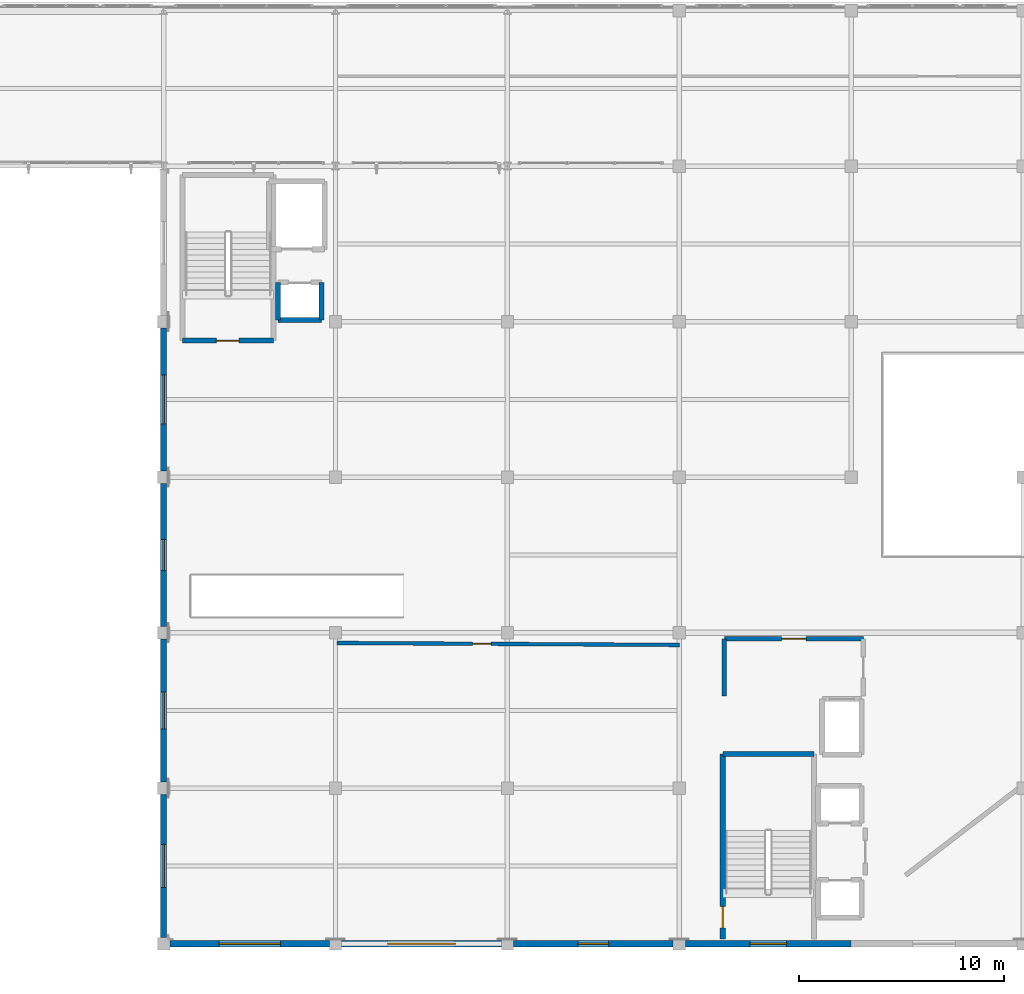
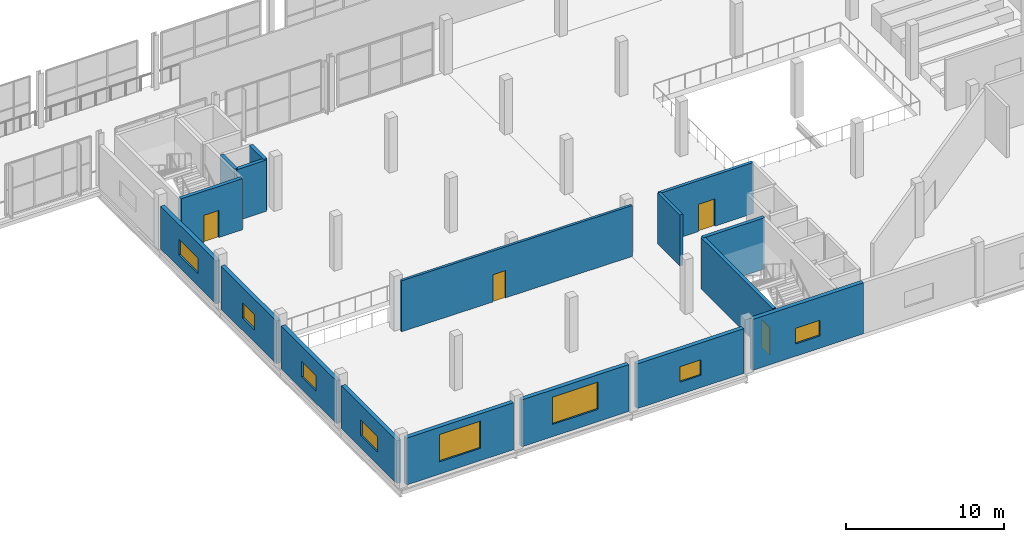
# One storey, part 192 of 217: 17 walls, 8 windows, 4 doors, 12 openings.
"""IFC4 building model written with IfcOpenShell, lengths in metres."""

from ifc_helpers import new_model, si_unit, direction, frame, frame_2d, origin, place, context, subcontext, project, spatial, rectangle, extrude, material, layer, layer_set, type_object, element, fill, save


model = new_model("IFC4")

# Units and contexts
model_context = context("Model", 3, precision=1e-05, world=origin(), true_north=direction((0.0, 1.0)))
body_context = subcontext(model_context, "Body", "Model", "MODEL_VIEW")
ifc_project = project(units=[si_unit("LENGTHUNIT", "METRE"), si_unit("AREAUNIT", "SQUARE_METRE"), si_unit("VOLUMEUNIT", "CUBIC_METRE"), si_unit("PLANEANGLEUNIT", "RADIAN"), si_unit("MASSUNIT", "GRAM", prefix="KILO")], contexts=[model_context])

# Site, building, storey
site_placement = place(None, origin())
site = spatial("IfcSite", under=ifc_project, at=site_placement, CompositionType="ELEMENT")
building_placement = place(site_placement, origin())
building = spatial("IfcBuilding", under=site, at=building_placement, Name="Zuvorla Pavilion Media Centre", CompositionType="ELEMENT")
storey_placement = place(building_placement, frame((0.0, 0.0, 9.60009765625)))
storey = spatial("IfcBuildingStorey", under=building, at=storey_placement, Name="L02", CompositionType="ELEMENT", Elevation=9.60009765625)

# Wall, opening, door
ifc_material_1 = material(Name="Acoustic masonry blockwork C32/40", Category="masonry")
ifc_layer_1 = layer(ifc_material_1, 0.219970703125)
ifc_layer_set_1 = layer_set([ifc_layer_1], Name="Acoustic masonry blockwork C32/40")
wall_type_1 = type_object("IfcWallType", Name="WL-CMP-220", PredefinedType="SOLIDWALL", material=ifc_layer_set_1)
wall_1_placement = place(storey_placement, frame((69.0, 20.89990234375, 0.0), z_axis=(0.0, 0.0, 1.0), x_axis=(1.0, 0.0, 0.0)))
wall_1 = element("IfcWall", 1, at=wall_1_placement, inside=storey, type_object=wall_type_1, Name="L02 solid wall IW22 29", PredefinedType="SOLIDWALL", context=body_context, shape_type="SweptSolid", body=[
    extrude(rectangle(XDim=6.800048828125, YDim=0.219970703125, at=frame_2d((3.39990234375, 0.0))), origin(), (0.0, 0.0, 1.0), 3.929931640625),
])
opening_1_placement = place(wall_1_placement, frame((2.800048828125, 0.0, 0.0)))
opening_1 = element("IfcOpeningElement", 2, at=opening_1_placement, cuts=wall_1, Name="Opening FD06", PredefinedType="OPENING", context=body_context, shape_type="SweptSolid", body=[
    extrude(rectangle(XDim=1.199951171875, YDim=2.10009765625, at=frame_2d((0.60009765625, 1.050048828125))), frame((0.0, 0.119873046875, 0.0), z_axis=(0.0, -1.0, 0.0), x_axis=(1.0, 0.0, 0.0)), (0.0, 0.0, 1.0), 0.239990234375),
])
ifc_material_2 = material(Name="Acoustic timber fire door leaf in steel frame", Category="steel")
door_type_1 = type_object("IfcDoorType", Name="DR-INT-FD06", OperationType="NOTDEFINED", PredefinedType="DOOR", material=ifc_material_2)
door_1_placement = place(opening_1_placement, origin())
door_1 = element("IfcDoor", 3, at=door_1_placement, inside=storey, type_object=door_type_1, Name="Firefighting lobby 1 door FD06 14", OperationType="SINGLE_SWING_LEFT", OverallHeight=2.10009765625, OverallWidth=1.199951171875, PredefinedType="DOOR", context=body_context, shape_type="SweptSolid", body=[
    extrude(rectangle(XDim=1.199951171875, YDim=2.10009765625, at=frame_2d((0.60009765625, 1.050048828125))), frame((0.0, 0.02490234375, 0.0), z_axis=(0.0, -1.0, 0.0), x_axis=(1.0, 0.0, 0.0)), (0.0, 0.0, 1.0), 0.050048828125),
])
fill(opening_1, door_1)

# Wall
wall_2_placement = place(storey_placement, frame((69.0, 18.10009765625, 0.0), z_axis=(0.0, 0.0, 1.0), x_axis=(0.0, 1.0, 0.0)))
element("IfcWall", 4, at=wall_2_placement, inside=storey, type_object=wall_type_1, Name="L02 solid wall IW22 30", PredefinedType="SOLIDWALL", context=body_context, shape_type="SweptSolid", body=[
    extrude(rectangle(XDim=2.7998046875, YDim=0.219970703125, at=frame_2d((1.39990234375, 0.0))), origin(), (0.0, 0.0, 1.0), 3.929931640625),
])

# Wall, opening, door
ifc_material_3 = material(Name="Concrete C40/50", Category="concrete")
ifc_layer_2 = layer(ifc_material_3, 0.25)
ifc_layer_set_2 = layer_set([ifc_layer_2], Name="Concrete C40/50")
wall_type_2 = type_object("IfcWallType", Name="WL-COR-250", PredefinedType="SHEAR", material=ifc_layer_set_2)
wall_3_placement = place(storey_placement, frame((68.925048828125, 6.22509765625, 0.0), z_axis=(0.0, 0.0, 1.0), x_axis=(0.0, 1.0, 0.0)))
wall_3 = element("IfcWall", 5, at=wall_3_placement, inside=storey, type_object=wall_type_2, Name="L02 shear wall CW25 26", PredefinedType="SHEAR", context=body_context, shape_type="SweptSolid", body=[
    extrude(rectangle(XDim=9.0498046875, YDim=0.25, at=frame_2d((4.52490234375, 0.0))), origin(), (0.0, 0.0, 1.0), 3.949951171875),
])
opening_2_placement = place(wall_3_placement, frame((0.550048828125, 0.0, 0.0)))
opening_2 = element("IfcOpeningElement", 6, at=opening_2_placement, cuts=wall_3, Name="Opening FD04", PredefinedType="OPENING", context=body_context, shape_type="SweptSolid", body=[
    extrude(rectangle(XDim=1.050048828125, YDim=2.10009765625, at=frame_2d((0.52490234375, 1.050048828125))), frame((0.0, 0.135009765625, 0.0), z_axis=(0.0, -1.0, 0.0), x_axis=(1.0, 0.0, 0.0)), (0.0, 0.0, 1.0), 0.27001953125),
])
door_type_2 = type_object("IfcDoorType", Name="DR-INT-FD04", OperationType="NOTDEFINED", PredefinedType="DOOR", material=ifc_material_2)
door_2_placement = place(opening_2_placement, origin())
door_2 = element("IfcDoor", 7, at=door_2_placement, inside=storey, type_object=door_type_2, Name="Stair ST-01 fire door FD04 13", OperationType="SINGLE_SWING_LEFT", OverallHeight=2.10009765625, OverallWidth=1.050048828125, PredefinedType="DOOR", context=body_context, shape_type="SweptSolid", body=[
    extrude(rectangle(XDim=1.050048828125, YDim=2.10009765625, at=frame_2d((0.52490234375, 1.050048828125))), frame((0.0, 0.02490234375, 0.0), z_axis=(0.0, -1.0, 0.0), x_axis=(1.0, 0.0, 0.0)), (0.0, 0.0, 1.0), 0.050048828125),
])
fill(opening_2, door_2)

# Wall
wall_4_placement = place(storey_placement, frame((68.925048828125, 15.27490234375, 0.0), z_axis=(0.0, 0.0, 1.0), x_axis=(1.0, 0.0, 0.0)))
element("IfcWall", 8, at=wall_4_placement, inside=storey, type_object=wall_type_2, Name="L02 shear wall CW25 28", PredefinedType="SHEAR", context=body_context, shape_type="SweptSolid", body=[
    extrude(rectangle(XDim=4.449951171875, YDim=0.25, at=frame_2d((2.22509765625, 0.0))), origin(), (0.0, 0.0, 1.0), 3.949951171875),
])

# Wall, opening, door
wall_5_placement = place(storey_placement, frame((42.52490234375, 35.47509765625, 0.0), z_axis=(0.0, 0.0, 1.0), x_axis=(1.0, 0.0, 0.0)))
wall_5 = element("IfcWall", 9, at=wall_5_placement, inside=storey, type_object=wall_type_2, Name="L02 shear wall CW25 252", PredefinedType="SHEAR", context=body_context, shape_type="SweptSolid", body=[
    extrude(rectangle(XDim=4.4501953125, YDim=0.25, at=frame_2d((2.22509765625, 0.0))), origin(), (0.0, 0.0, 1.0), 3.949951171875),
])
opening_3_placement = place(wall_5_placement, frame((1.64990234375, 0.0, 0.0)))
opening_3 = element("IfcOpeningElement", 10, at=opening_3_placement, cuts=wall_5, Name="Opening FD05", PredefinedType="OPENING", context=body_context, shape_type="SweptSolid", body=[
    extrude(rectangle(XDim=1.10009765625, YDim=2.10009765625, at=frame_2d((0.550048828125, 1.050048828125))), frame((0.0, 0.135009765625, 0.0), z_axis=(0.0, -1.0, 0.0), x_axis=(1.0, 0.0, 0.0)), (0.0, 0.0, 1.0), 0.27001953125),
])
door_type_3 = type_object("IfcDoorType", Name="DR-INT-FD05", OperationType="NOTDEFINED", PredefinedType="DOOR", material=ifc_material_2)
door_3_placement = place(opening_3_placement, frame((1.10009765625, 0.0, 0.0), z_axis=(0.0, 0.0, 1.0), x_axis=(-1.0, 0.0, 0.0)))
door_3 = element("IfcDoor", 11, at=door_3_placement, inside=storey, type_object=door_type_3, Name="Stair ST-03 fire door FD05 92", OperationType="SINGLE_SWING_RIGHT", OverallHeight=2.10009765625, OverallWidth=1.10009765625, PredefinedType="DOOR", context=body_context, shape_type="SweptSolid", body=[
    extrude(rectangle(XDim=1.10009765625, YDim=2.10009765625, at=frame_2d((0.550048828125, 1.050048828125))), frame((0.0, 0.02490234375, 0.0), z_axis=(0.0, -1.0, 0.0), x_axis=(1.0, 0.0, 0.0)), (0.0, 0.0, 1.0), 0.050048828125),
])
fill(opening_3, door_3)

# Walls
wall_6_placement = place(storey_placement, frame((47.18994140625, 36.489990234375, 0.0), z_axis=(0.0, 0.0, 1.0), x_axis=(1.0, 0.0, 0.0)))
element("IfcWall", 12, at=wall_6_placement, inside=storey, type_object=wall_type_2, Name="L02 shear wall CW25 273", PredefinedType="SHEAR", context=body_context, shape_type="SweptSolid", body=[
    extrude(rectangle(XDim=2.1201171875, YDim=0.25, at=frame_2d((1.06005859375, 0.0))), origin(), (0.0, 0.0, 1.0), 3.949951171875),
])
for number, where, z_axis, x_axis, name in (
    (13, (47.18994140625, 36.489990234375, 0.0), (0.0, 0.0, 1.0), (0.0, 1.0, 0.0), "L02 shear wall CW25 275"),
    (14, (49.31005859375, 36.489990234375, 0.0), (0.0, 0.0, 1.0), (0.0, 1.0, 0.0), "L02 shear wall CW25 276"),
):
    element("IfcWall", number, at=place(storey_placement, frame(where, z_axis=z_axis, x_axis=x_axis)), inside=storey, type_object=wall_type_2, Name=name, PredefinedType="SHEAR", context=body_context, shape_type="SweptSolid", body=[
        extrude(rectangle(XDim=1.820068359375, YDim=0.25, at=frame_2d((0.91015625, 0.0))), origin(), (0.0, 0.0, 1.0), 3.949951171875),
    ])

# Wall, opening, window
ifc_material_4 = material(Name="White rendered concrete C32/40", Category="concrete")
ifc_layer_3 = layer(ifc_material_4, 0.300048828125)
ifc_layer_set_3 = layer_set([ifc_layer_3], Name="White rendered concrete C32/40")
wall_type_3 = type_object("IfcWallType", Name="WL-EXT-300", PredefinedType="SOLIDWALL", material=ifc_layer_set_3)
wall_7_placement = place(storey_placement, frame((41.60009765625, 36.10009765625, 0.0), z_axis=(0.0, 0.0, 1.0), x_axis=(0.0, -1.0, 0.0)))
wall_7 = element("IfcWall", 15, at=wall_7_placement, inside=storey, type_object=wall_type_3, Name="L02 exterior solid wall EW03 203", PredefinedType="SOLIDWALL", context=body_context, shape_type="SweptSolid", body=[
    extrude(rectangle(XDim=7.0, YDim=0.300048828125, at=frame_2d((3.5, 0.0))), origin(), (0.0, 0.0, 1.0), 3.3046875),
])
opening_4_placement = place(wall_7_placement, frame((2.300048828125, 0.0, 0.949951171875)))
opening_4 = element("IfcOpeningElement", 16, at=opening_4_placement, cuts=wall_7, Name="Opening WN28", PredefinedType="OPENING", context=body_context, shape_type="SweptSolid", body=[
    extrude(rectangle(XDim=2.39990234375, YDim=1.199951171875, at=frame_2d((1.199951171875, 0.60009765625))), frame((0.0, 0.159912109375, 0.0), z_axis=(0.0, -1.0, 0.0), x_axis=(1.0, 0.0, 0.0)), (0.0, 0.0, 1.0), 0.320068359375),
])
ifc_material_5 = material(Name="Anodised aluminium frame with solar double glazing", Category="aluminium")
window_type_1 = type_object("IfcWindowType", Name="WIN-WN28", PartitioningType="DOUBLE_PANEL_VERTICAL", PredefinedType="WINDOW", material=ifc_material_5)
window_1_placement = place(opening_4_placement, origin())
window_1 = element("IfcWindow", 17, at=window_1_placement, inside=storey, type_object=window_type_1, Name="L02 window WN28 75", OverallHeight=1.199951171875, OverallWidth=2.39990234375, PartitioningType="DOUBLE_PANEL_VERTICAL", PredefinedType="WINDOW", context=body_context, shape_type="SweptSolid", body=[
    extrude(rectangle(XDim=2.39990234375, YDim=1.199951171875, at=frame_2d((1.199951171875, 0.60009765625))), frame((0.0, 0.030029296875, 0.0), z_axis=(0.0, -1.0, 0.0), x_axis=(1.0, 0.0, 0.0)), (0.0, 0.0, 1.0), 0.06005859375),
])
fill(opening_4, window_1)

wall_8_placement = place(storey_placement, frame((41.60009765625, 28.5, 0.0), z_axis=(0.0, 0.0, 1.0), x_axis=(0.0, -1.0, 0.0)))
wall_8 = element("IfcWall", 18, at=wall_8_placement, inside=storey, type_object=wall_type_3, Name="L02 exterior solid wall EW03 204", PredefinedType="SOLIDWALL", context=body_context, shape_type="SweptSolid", body=[
    extrude(rectangle(XDim=7.0, YDim=0.300048828125, at=frame_2d((3.5, 0.0))), origin(), (0.0, 0.0, 1.0), 3.3046875),
])
opening_5_placement = place(wall_8_placement, frame((2.75, 0.0, 0.949951171875)))
opening_5 = element("IfcOpeningElement", 19, at=opening_5_placement, cuts=wall_8, Name="Opening WN25", PredefinedType="OPENING", context=body_context, shape_type="SweptSolid", body=[
    extrude(rectangle(XDim=1.5, YDim=1.199951171875, at=frame_2d((0.75, 0.60009765625))), frame((0.0, 0.159912109375, 0.0), z_axis=(0.0, -1.0, 0.0), x_axis=(1.0, 0.0, 0.0)), (0.0, 0.0, 1.0), 0.320068359375),
])
window_type_2 = type_object("IfcWindowType", Name="WIN-WN25", PartitioningType="SINGLE_PANEL", PredefinedType="WINDOW", material=ifc_material_5)
window_2_placement = place(opening_5_placement, origin())
window_2 = element("IfcWindow", 20, at=window_2_placement, inside=storey, type_object=window_type_2, Name="L02 window WN25 76", OverallHeight=1.199951171875, OverallWidth=1.5, PartitioningType="SINGLE_PANEL", PredefinedType="WINDOW", context=body_context, shape_type="SweptSolid", body=[
    extrude(rectangle(XDim=1.5, YDim=1.199951171875, at=frame_2d((0.75, 0.60009765625))), frame((0.0, 0.030029296875, 0.0), z_axis=(0.0, -1.0, 0.0), x_axis=(1.0, 0.0, 0.0)), (0.0, 0.0, 1.0), 0.06005859375),
])
fill(opening_5, window_2)

wall_9_placement = place(storey_placement, frame((41.60009765625, 20.89990234375, 0.0), z_axis=(0.0, 0.0, 1.0), x_axis=(0.0, -1.0, 0.0)))
wall_9 = element("IfcWall", 21, at=wall_9_placement, inside=storey, type_object=wall_type_3, Name="L02 exterior solid wall EW03 205", PredefinedType="SOLIDWALL", context=body_context, shape_type="SweptSolid", body=[
    extrude(rectangle(XDim=7.0, YDim=0.300048828125, at=frame_2d((3.5, 0.0))), origin(), (0.0, 0.0, 1.0), 3.3046875),
])
opening_6_placement = place(wall_9_placement, frame((2.60009765625, 0.0, 0.949951171875)))
opening_6 = element("IfcOpeningElement", 22, at=opening_6_placement, cuts=wall_9, Name="Opening WN26", PredefinedType="OPENING", context=body_context, shape_type="SweptSolid", body=[
    extrude(rectangle(XDim=1.800048828125, YDim=1.199951171875, at=frame_2d((0.89990234375, 0.60009765625))), frame((0.0, 0.159912109375, 0.0), z_axis=(0.0, -1.0, 0.0), x_axis=(1.0, 0.0, 0.0)), (0.0, 0.0, 1.0), 0.320068359375),
])
window_type_3 = type_object("IfcWindowType", Name="WIN-WN26", PartitioningType="DOUBLE_PANEL_VERTICAL", PredefinedType="WINDOW", material=ifc_material_5)
window_3_placement = place(opening_6_placement, origin())
window_3 = element("IfcWindow", 23, at=window_3_placement, inside=storey, type_object=window_type_3, Name="L02 window WN26 77", OverallHeight=1.199951171875, OverallWidth=1.800048828125, PartitioningType="DOUBLE_PANEL_VERTICAL", PredefinedType="WINDOW", context=body_context, shape_type="SweptSolid", body=[
    extrude(rectangle(XDim=1.800048828125, YDim=1.199951171875, at=frame_2d((0.89990234375, 0.60009765625))), frame((0.0, 0.030029296875, 0.0), z_axis=(0.0, -1.0, 0.0), x_axis=(1.0, 0.0, 0.0)), (0.0, 0.0, 1.0), 0.06005859375),
])
fill(opening_6, window_3)

wall_10_placement = place(storey_placement, frame((41.60009765625, 13.300048828125, 0.0), z_axis=(0.0, 0.0, 1.0), x_axis=(0.0, -1.0, 0.0)))
wall_10 = element("IfcWall", 24, at=wall_10_placement, inside=storey, type_object=wall_type_3, Name="L02 exterior solid wall EW03 206", PredefinedType="SOLIDWALL", context=body_context, shape_type="SweptSolid", body=[
    extrude(rectangle(XDim=7.0, YDim=0.300048828125, at=frame_2d((3.5, 0.0))), origin(), (0.0, 0.0, 1.0), 3.3046875),
])
opening_7_placement = place(wall_10_placement, frame((2.449951171875, 0.0, 0.949951171875)))
opening_7 = element("IfcOpeningElement", 25, at=opening_7_placement, cuts=wall_10, Name="Opening WN27", PredefinedType="OPENING", context=body_context, shape_type="SweptSolid", body=[
    extrude(rectangle(XDim=2.10009765625, YDim=1.199951171875, at=frame_2d((1.050048828125, 0.60009765625))), frame((0.0, 0.159912109375, 0.0), z_axis=(0.0, -1.0, 0.0), x_axis=(1.0, 0.0, 0.0)), (0.0, 0.0, 1.0), 0.320068359375),
])
window_type_4 = type_object("IfcWindowType", Name="WIN-WN27", PartitioningType="DOUBLE_PANEL_VERTICAL", PredefinedType="WINDOW", material=ifc_material_5)
window_4_placement = place(opening_7_placement, origin())
window_4 = element("IfcWindow", 26, at=window_4_placement, inside=storey, type_object=window_type_4, Name="L02 window WN27 78", OverallHeight=1.199951171875, OverallWidth=2.10009765625, PartitioningType="DOUBLE_PANEL_VERTICAL", PredefinedType="WINDOW", context=body_context, shape_type="SweptSolid", body=[
    extrude(rectangle(XDim=2.10009765625, YDim=1.199951171875, at=frame_2d((1.050048828125, 0.60009765625))), frame((0.0, 0.030029296875, 0.0), z_axis=(0.0, -1.0, 0.0), x_axis=(1.0, 0.0, 0.0)), (0.0, 0.0, 1.0), 0.06005859375),
])
fill(opening_7, window_4)

wall_11_placement = place(storey_placement, frame((41.89990234375, 6.0, 0.0), z_axis=(0.0, 0.0, 1.0), x_axis=(1.0, 0.0, 0.0)))
wall_11 = element("IfcWall", 27, at=wall_11_placement, inside=storey, type_object=wall_type_3, Name="L02 exterior solid wall EW03 207", PredefinedType="SOLIDWALL", context=body_context, shape_type="SweptSolid", body=[
    extrude(rectangle(XDim=7.800048828125, YDim=0.300048828125, at=frame_2d((3.89990234375, 0.0))), origin(), (0.0, 0.0, 1.0), 3.616943359375),
])
opening_8_placement = place(wall_11_placement, frame((2.39990234375, 0.0, 0.949951171875)))
opening_8 = element("IfcOpeningElement", 28, at=opening_8_placement, cuts=wall_11, Name="Opening WN23", PredefinedType="OPENING", context=body_context, shape_type="SweptSolid", body=[
    extrude(rectangle(XDim=3.0, YDim=2.10009765625, at=frame_2d((1.5, 1.050048828125))), frame((0.0, 0.159912109375, 0.0), z_axis=(0.0, -1.0, 0.0), x_axis=(1.0, 0.0, 0.0)), (0.0, 0.0, 1.0), 0.320068359375),
])
window_type_5 = type_object("IfcWindowType", Name="WIN-WN23", PartitioningType="DOUBLE_PANEL_VERTICAL", PredefinedType="WINDOW", material=ifc_material_5)
window_5_placement = place(opening_8_placement, origin())
window_5 = element("IfcWindow", 29, at=window_5_placement, inside=storey, type_object=window_type_5, Name="L02 window WN23 79", OverallHeight=2.10009765625, OverallWidth=3.0, PartitioningType="DOUBLE_PANEL_VERTICAL", PredefinedType="WINDOW", context=body_context, shape_type="SweptSolid", body=[
    extrude(rectangle(XDim=3.0, YDim=2.10009765625, at=frame_2d((1.5, 1.050048828125))), frame((0.0, 0.030029296875, 0.0), z_axis=(0.0, -1.0, 0.0), x_axis=(1.0, 0.0, 0.0)), (0.0, 0.0, 1.0), 0.06005859375),
])
fill(opening_8, window_5)

wall_12_placement = place(storey_placement, frame((50.300048828125, 6.0, 0.0), z_axis=(0.0, 0.0, 1.0), x_axis=(1.0, 0.0, 0.0)))
wall_12 = element("IfcWall", 30, at=wall_12_placement, inside=storey, type_object=wall_type_3, Name="L02 exterior solid wall EW03 208", PredefinedType="SOLIDWALL", context=body_context, shape_type="SweptSolid", body=[
    extrude(rectangle(XDim=7.800048828125, YDim=0.300048828125, at=frame_2d((3.89990234375, 0.0))), origin(), (0.0, 0.0, 1.0), 3.616943359375),
])
opening_9_placement = place(wall_12_placement, frame((2.25, 0.0, 0.949951171875)))
opening_9 = element("IfcOpeningElement", 31, at=opening_9_placement, cuts=wall_12, Name="Opening WN24", PredefinedType="OPENING", context=body_context, shape_type="SweptSolid", body=[
    extrude(rectangle(XDim=3.300048828125, YDim=2.10009765625, at=frame_2d((1.64990234375, 1.050048828125))), frame((0.0, 0.159912109375, 0.0), z_axis=(0.0, -1.0, 0.0), x_axis=(1.0, 0.0, 0.0)), (0.0, 0.0, 1.0), 0.320068359375),
])
window_type_6 = type_object("IfcWindowType", Name="WIN-WN24", PartitioningType="DOUBLE_PANEL_VERTICAL", PredefinedType="WINDOW", material=ifc_material_5)
window_6_placement = place(opening_9_placement, origin())
window_6 = element("IfcWindow", 32, at=window_6_placement, inside=storey, type_object=window_type_6, Name="L02 window WN24 80", OverallHeight=2.10009765625, OverallWidth=3.300048828125, PartitioningType="DOUBLE_PANEL_VERTICAL", PredefinedType="WINDOW", context=body_context, shape_type="SweptSolid", body=[
    extrude(rectangle(XDim=3.300048828125, YDim=2.10009765625, at=frame_2d((1.64990234375, 1.050048828125))), frame((0.0, 0.030029296875, 0.0), z_axis=(0.0, -1.0, 0.0), x_axis=(1.0, 0.0, 0.0)), (0.0, 0.0, 1.0), 0.06005859375),
])
fill(opening_9, window_6)

wall_13_placement = place(storey_placement, frame((58.699951171875, 6.0, 0.0), z_axis=(0.0, 0.0, 1.0), x_axis=(1.0, 0.0, 0.0)))
wall_13 = element("IfcWall", 33, at=wall_13_placement, inside=storey, type_object=wall_type_3, Name="L02 exterior solid wall EW03 209", PredefinedType="SOLIDWALL", context=body_context, shape_type="SweptSolid", body=[
    extrude(rectangle(XDim=7.800048828125, YDim=0.300048828125, at=frame_2d((3.89990234375, 0.0))), origin(), (0.0, 0.0, 1.0), 3.447021484375),
])
opening_10_placement = place(wall_13_placement, frame((3.14990234375, 0.0, 0.949951171875)))
opening_10 = element("IfcOpeningElement", 34, at=opening_10_placement, cuts=wall_13, Name="Opening WN25", PredefinedType="OPENING", context=body_context, shape_type="SweptSolid", body=[
    extrude(rectangle(XDim=1.5, YDim=1.199951171875, at=frame_2d((0.75, 0.60009765625))), frame((0.0, 0.159912109375, 0.0), z_axis=(0.0, -1.0, 0.0), x_axis=(1.0, 0.0, 0.0)), (0.0, 0.0, 1.0), 0.320068359375),
])
window_7_placement = place(opening_10_placement, origin())
window_7 = element("IfcWindow", 35, at=window_7_placement, inside=storey, type_object=window_type_2, Name="L02 window WN25 81", OverallHeight=1.199951171875, OverallWidth=1.5, PartitioningType="SINGLE_PANEL", PredefinedType="WINDOW", context=body_context, shape_type="SweptSolid", body=[
    extrude(rectangle(XDim=1.5, YDim=1.199951171875, at=frame_2d((0.75, 0.60009765625))), frame((0.0, 0.030029296875, 0.0), z_axis=(0.0, -1.0, 0.0), x_axis=(1.0, 0.0, 0.0)), (0.0, 0.0, 1.0), 0.06005859375),
])
fill(opening_10, window_7)

wall_14_placement = place(storey_placement, frame((67.10009765625, 6.0, 0.0), z_axis=(0.0, 0.0, 1.0), x_axis=(1.0, 0.0, 0.0)))
wall_14 = element("IfcWall", 36, at=wall_14_placement, inside=storey, type_object=wall_type_3, Name="L02 exterior solid wall EW03 210", PredefinedType="SOLIDWALL", context=body_context, shape_type="SweptSolid", body=[
    extrude(rectangle(XDim=8.099853515625, YDim=0.300048828125, at=frame_2d((4.0498046875, 0.0))), origin(), (0.0, 0.0, 1.0), 3.929931640625),
])
opening_11_placement = place(wall_14_placement, frame((3.14990234375, 0.0, 0.949951171875)))
opening_11 = element("IfcOpeningElement", 37, at=opening_11_placement, cuts=wall_14, Name="Opening WN26", PredefinedType="OPENING", context=body_context, shape_type="SweptSolid", body=[
    extrude(rectangle(XDim=1.800048828125, YDim=1.199951171875, at=frame_2d((0.89990234375, 0.60009765625))), frame((0.0, 0.159912109375, 0.0), z_axis=(0.0, -1.0, 0.0), x_axis=(1.0, 0.0, 0.0)), (0.0, 0.0, 1.0), 0.320068359375),
])
window_8_placement = place(opening_11_placement, origin())
window_8 = element("IfcWindow", 38, at=window_8_placement, inside=storey, type_object=window_type_3, Name="L02 window WN26 82", OverallHeight=1.199951171875, OverallWidth=1.800048828125, PartitioningType="DOUBLE_PANEL_VERTICAL", PredefinedType="WINDOW", context=body_context, shape_type="SweptSolid", body=[
    extrude(rectangle(XDim=1.800048828125, YDim=1.199951171875, at=frame_2d((0.89990234375, 0.60009765625))), frame((0.0, 0.030029296875, 0.0), z_axis=(0.0, -1.0, 0.0), x_axis=(1.0, 0.0, 0.0)), (0.0, 0.0, 1.0), 0.06005859375),
])
fill(opening_11, window_8)

# Wall, opening, door
ifc_material_6 = material(Name="Double acoustic gypsum stud partition")
ifc_layer_4 = layer(ifc_material_6, 0.179931640625)
ifc_layer_set_4 = layer_set([ifc_layer_4], Name="Double acoustic gypsum stud partition")
wall_type_4 = type_object("IfcWallType", Name="WL-PRT-180", PredefinedType="PARTITIONING", material=ifc_layer_set_4)
wall_15_placement = place(storey_placement, frame((66.819580078125, 20.6005859375, 0.0), z_axis=(0.0, 0.0, 1.0), x_axis=(-0.999982727155, 0.005877532838, 0.0)))
wall_15 = element("IfcWall", 39, at=wall_15_placement, inside=storey, type_object=wall_type_4, Name="L02 partition PT18 502", PredefinedType="PARTITIONING", context=body_context, shape_type="SweptSolid", body=[
    extrude(rectangle(XDim=16.73974609375, YDim=0.179931640625, at=frame_2d((8.369873046875, 0.0))), origin(), (0.0, 0.0, 1.0), 3.929931640625),
])
opening_12_placement = place(wall_15_placement, frame((9.219970703125, 0.0, 0.0)))
opening_12 = element("IfcOpeningElement", 40, at=opening_12_placement, cuts=wall_15, Name="Opening FD01", PredefinedType="OPENING", context=body_context, shape_type="SweptSolid", body=[
    extrude(rectangle(XDim=0.89990234375, YDim=2.10009765625, at=frame_2d((0.449951171875, 1.050048828125))), frame((0.0, 0.099853515625, 0.0), z_axis=(0.0, -1.0, 0.0), x_axis=(1.0, 0.0, 0.0)), (0.0, 0.0, 1.0), 0.199951171875),
])
door_type_4 = type_object("IfcDoorType", Name="DR-INT-FD01", OperationType="NOTDEFINED", PredefinedType="DOOR", material=ifc_material_2)
door_4_placement = place(opening_12_placement, origin())
door_4 = element("IfcDoor", 41, at=door_4_placement, inside=storey, type_object=door_type_4, Name="Interior door FD01 209", OperationType="SINGLE_SWING_RIGHT", OverallHeight=2.10009765625, OverallWidth=0.89990234375, PredefinedType="DOOR", context=body_context, shape_type="SweptSolid", body=[
    extrude(rectangle(XDim=0.89990234375, YDim=2.10009765625, at=frame_2d((0.449951171875, 1.050048828125))), frame((0.0, 0.02490234375, 0.0), z_axis=(0.0, -1.0, 0.0), x_axis=(1.0, 0.0, 0.0)), (0.0, 0.0, 1.0), 0.050048828125),
])
fill(opening_12, door_4)

save(model, "model.ifc")
